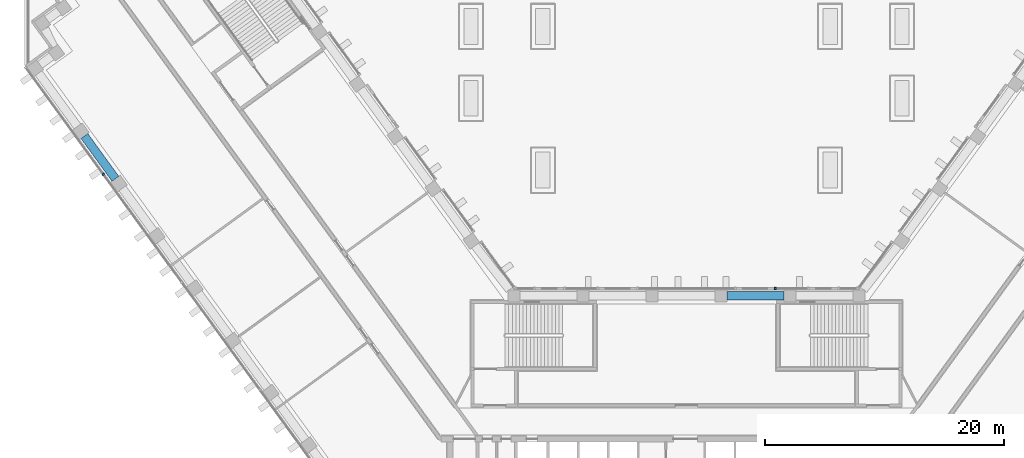
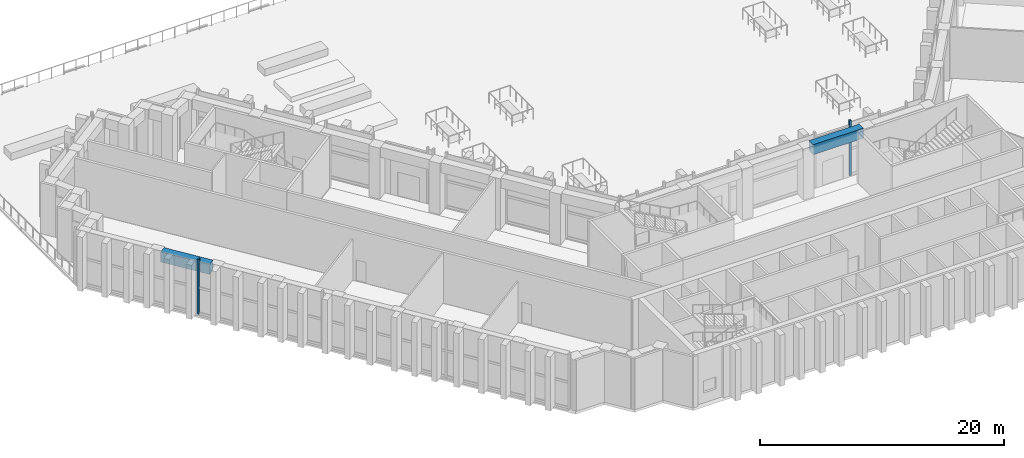
# One storey, part 3 of 25: 2 beams, 2 members, 2 elements without a shape of their own.
"""IFC4 building model written with IfcOpenShell, lengths in metres."""

from ifc_helpers import new_model, si_unit, direction, frame, origin, origin_2d, place, context, subcontext, project, spatial, rectangle, extrude, material, material_profile, profile_set, type_object, element, aggregate, save


model = new_model("IFC4")

# Units and contexts
model_context = context("Model", 3, precision=1e-05, world=origin(), true_north=direction((0.0, 1.0)))
body_context = subcontext(model_context, "Body", "Model", "MODEL_VIEW")
ifc_project = project(units=[si_unit("LENGTHUNIT", "METRE"), si_unit("AREAUNIT", "SQUARE_METRE"), si_unit("VOLUMEUNIT", "CUBIC_METRE"), si_unit("PLANEANGLEUNIT", "RADIAN"), si_unit("MASSUNIT", "GRAM", prefix="KILO")], contexts=[model_context])

# Site, building, storey
site_placement = place(None, origin())
site = spatial("IfcSite", under=ifc_project, at=site_placement, CompositionType="ELEMENT")
building_placement = place(site_placement, origin())
building = spatial("IfcBuilding", under=site, at=building_placement, Name="Quipu Civic Tower", CompositionType="ELEMENT")
storey_placement = place(building_placement, frame((0.0, 0.0, 6.0)))
storey = spatial("IfcBuildingStorey", under=building, at=storey_placement, Name="L01", CompositionType="ELEMENT", Elevation=6.0)

# Curtain wall, member
ifc_material_1 = material(Name="Insulated glass unit", Category="glass")
curtain_wall_type = type_object("IfcCurtainWallType", Name="Council chamber curtain wall CW4", PredefinedType="NOTDEFINED", material=ifc_material_1)
curtain_wall_1_placement = place(storey_placement, origin())
curtain_wall_1 = element("IfcCurtainWall", 1, at=curtain_wall_1_placement, inside=storey, type_object=curtain_wall_type, Name="Council chamber curtain wall CW4 L01 run 20", PredefinedType="NOTDEFINED")
ifc_material_2 = material(Name="Anodised aluminium", Category="aluminium")
ifc_material_profile_1 = material_profile(ifc_material_2, rectangle(XDim=0.199951171875, YDim=0.159912109375, at=origin_2d()), Name="RECT 200x160")
ifc_profile_set_1 = profile_set([ifc_material_profile_1], Name="Anodised aluminium")
member_type = type_object("IfcMemberType", Name="Mullion CW4", PredefinedType="MULLION", material=ifc_profile_set_1)
member_1_placement = place(storey_placement, frame((-48.717041015625, 20.64111328125, 0.10009765625), z_axis=(0.0, 0.0, 1.0), x_axis=(0.809016918788, 0.587785356329, 0.0)))
member_1 = element("IfcMember", 2, at=member_1_placement, type_object=member_type, Name="CW4 mullion 2", PredefinedType="MULLION", context=body_context, shape_type="SweptSolid", body=[
    extrude(rectangle(XDim=0.199951171875, YDim=0.159912109375, at=origin_2d()), origin(), (0.0, 0.0, 1.0), 5.5),
])
aggregate(curtain_wall_1, [member_1])

curtain_wall_2_placement = place(storey_placement, origin())
curtain_wall_2 = element("IfcCurtainWall", 3, at=curtain_wall_2_placement, inside=storey, type_object=curtain_wall_type, Name="Council chamber curtain wall CW4 L01 run 56", PredefinedType="NOTDEFINED")
member_2_placement = place(storey_placement, frame((7.411865234375, 11.10009765625, 0.10009765625), z_axis=(0.0, 0.0, 1.0), x_axis=(0.0, -1.0, 0.0)))
member_2 = element("IfcMember", 4, at=member_2_placement, type_object=member_type, Name="CW4 mullion 2", PredefinedType="MULLION", context=body_context, shape_type="SweptSolid", body=[
    extrude(rectangle(XDim=0.199951171875, YDim=0.159912109375, at=origin_2d()), origin(), (0.0, 0.0, 1.0), 5.5),
])
aggregate(curtain_wall_2, [member_2])

# Beams
ifc_material_3 = material(Name="Concrete C50/60", Category="concrete")
ifc_material_profile_2 = material_profile(ifc_material_3, rectangle(XDim=0.699951171875, YDim=1.0, at=origin_2d()), Name="RC700x1000")
ifc_profile_set_2 = profile_set([ifc_material_profile_2], Name="Concrete C50/60")
beam_type = type_object("IfcBeamType", Name="Spandrel beam RC 700x1000 C50/60", PredefinedType="SPANDREL", material=ifc_profile_set_2)
beam_1_placement = place(storey_placement, frame((-50.298583984375, 23.839111328125, 4.60009765625), z_axis=(0.587759228046, -0.809035901457, 0.0), x_axis=(0.809035901457, 0.587759228046, 0.0)))
element("IfcBeam", 5, at=beam_1_placement, inside=storey, type_object=beam_type, Name="Spandrel beam L01 W-OUT-07 to W-OUT-06", PredefinedType="SPANDREL", context=body_context, shape_type="SweptSolid", body=[
    extrude(rectangle(XDim=0.699951171875, YDim=1.0, at=origin_2d()), origin(), (0.0, 0.0, 1.0), 4.400146484375),
])
beam_2_placement = place(storey_placement, frame((8.13720703125, 10.5, 4.60009765625), z_axis=(-1.0, 0.0, 0.0), x_axis=(0.0, -1.0, 0.0)))
element("IfcBeam", 6, at=beam_2_placement, inside=storey, type_object=beam_type, Name="Spandrel beam L01 FRONT-01 to FRONT-02", PredefinedType="SPANDREL", context=body_context, shape_type="SweptSolid", body=[
    extrude(rectangle(XDim=0.699951171875, YDim=1.0, at=origin_2d()), origin(), (0.0, 0.0, 1.0), 4.75830078125),
])

save(model, "model.ifc")
